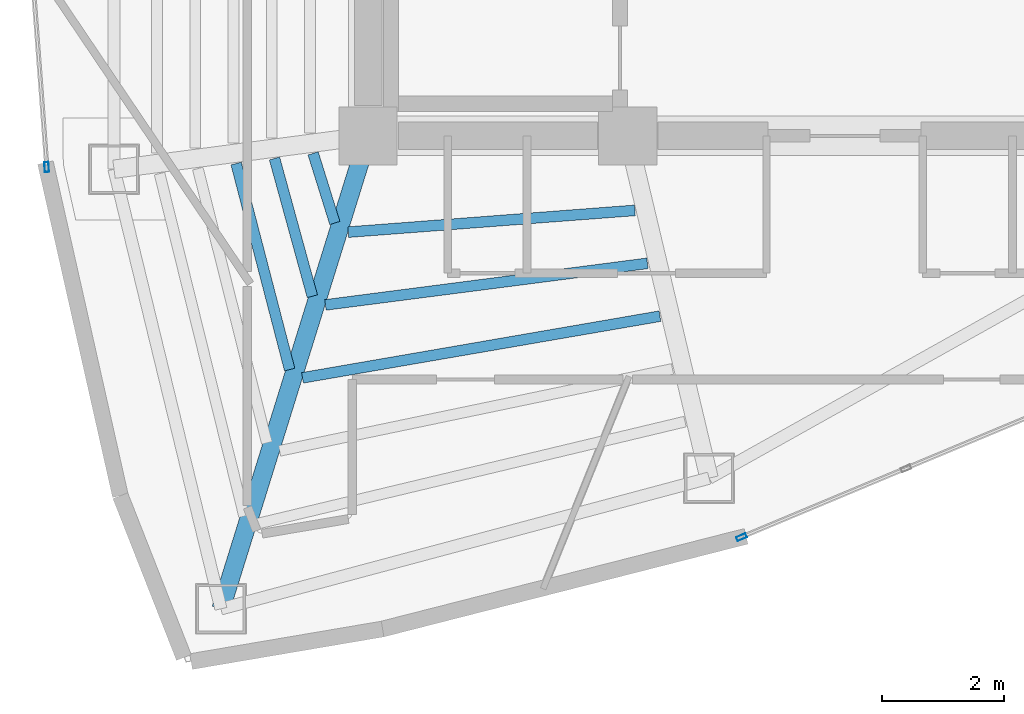
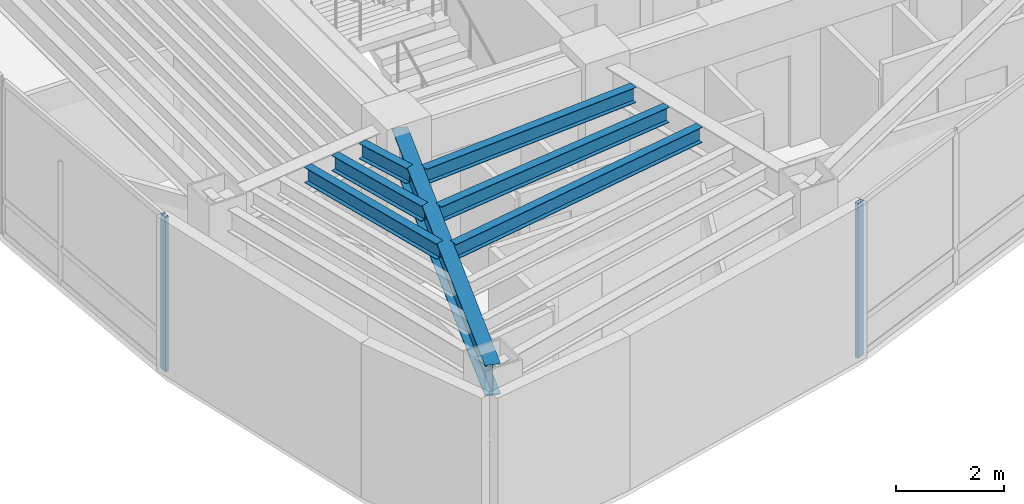
# One storey, part 2 of 15: 7 beams, 2 members, 2 elements without a shape of their own.
"""IFC4 building model written with IfcOpenShell, lengths in metres."""

from ifc_helpers import new_model, si_unit, direction, frame, origin, origin_2d, place, context, subcontext, project, spatial, hollow_rectangle, i_section, extrude, material, layer, layer_set, material_profile, profile_set, type_object, element, aggregate, save


model = new_model("IFC4")

# Units and contexts
model_context = context("Model", 3, precision=1e-05, world=origin(), true_north=direction((0.0, 1.0)))
body_context = subcontext(model_context, "Body", "Model", "MODEL_VIEW")
ifc_project = project(units=[si_unit("LENGTHUNIT", "METRE"), si_unit("AREAUNIT", "SQUARE_METRE"), si_unit("VOLUMEUNIT", "CUBIC_METRE"), si_unit("PLANEANGLEUNIT", "RADIAN"), si_unit("MASSUNIT", "GRAM", prefix="KILO")], contexts=[model_context])

# Site, building, storey
site_placement = place(None, origin())
site = spatial("IfcSite", under=ifc_project, at=site_placement, CompositionType="ELEMENT")
building_placement = place(site_placement, origin())
building = spatial("IfcBuilding", under=site, at=building_placement, Name="Menara Vayukalpa", CompositionType="ELEMENT")
storey_placement = place(building_placement, frame((0.0, 0.0, 265.739990234375)))
storey = spatial("IfcBuildingStorey", under=building, at=storey_placement, Name="L67", CompositionType="ELEMENT", Elevation=265.739990234375)

# Beams
ifc_material_1 = material(Name="Steel S355", Category="steel")
ifc_material_profile_1 = material_profile(ifc_material_1, i_section(OverallWidth=0.300048828125, OverallDepth=0.699951171875, WebThickness=0.012939453125, FlangeThickness=0.02392578125, at=origin_2d()), Name="WF 700x300x13x24")
ifc_profile_set_1 = profile_set([ifc_material_profile_1], Name="Steel S355")
beam_type_1 = type_object("IfcBeamType", Name="BM-PG5", PredefinedType="BEAM", material=ifc_profile_set_1)
beam_1_placement = place(storey_placement, frame((17.7255859375, 16.961181640625, 3.14990234375), z_axis=(-0.297213792842, -0.954810955815, 0.0), x_axis=(0.954810955815, -0.297213792842, 0.0)))
element("IfcBeam", 1, at=beam_1_placement, inside=storey, type_object=beam_type_1, Name="L67 Primary Radial Girder RG07", PredefinedType="BEAM", context=body_context, shape_type="SweptSolid", body=[
    extrude(i_section(OverallWidth=0.300048828125, OverallDepth=0.699951171875, WebThickness=0.012939453125, FlangeThickness=0.02392578125, at=origin_2d()), origin(), (0.0, 0.0, 1.0), 7.861083984375),
])
ifc_material_2 = material(Name="Steel S355", Category="steel")
ifc_material_profile_2 = material_profile(ifc_material_2, i_section(OverallWidth=0.175048828125, OverallDepth=0.35009765625, WebThickness=0.007080078125, FlangeThickness=0.010986328125, at=origin_2d()), Name="WF 350x175x7x11")
ifc_profile_set_2 = profile_set([ifc_material_profile_2], Name="Steel S355")
beam_type_2 = type_object("IfcBeamType", Name="BM-SJ3", PredefinedType="JOIST", material=ifc_profile_set_2)
beam_2_placement = place(storey_placement, frame((16.8984375, 16.91259765625, 3.324951171875), z_axis=(0.298018933644, -0.954559958929, 0.0), x_axis=(0.954559958929, 0.298018933644, 0.0)))
element("IfcBeam", 2, at=beam_2_placement, inside=storey, type_object=beam_type_2, Name="L67 Secondary Floor Joist SJ06-1", PredefinedType="JOIST", context=body_context, shape_type="SweptSolid", body=[
    extrude(i_section(OverallWidth=0.175048828125, OverallDepth=0.35009765625, WebThickness=0.007080078125, FlangeThickness=0.010986328125, at=origin_2d()), origin(), (0.0, 0.0, 1.0), 1.1943359375),
])
beam_3_placement = place(storey_placement, frame((16.2666015625, 16.82861328125, 3.324951171875), z_axis=(0.264918721837, -0.9642707456, 0.0), x_axis=(0.9642707456, 0.264918721837, 0.0)))
element("IfcBeam", 3, at=beam_3_placement, inside=storey, type_object=beam_type_2, Name="L67 Secondary Floor Joist SJ06-2", PredefinedType="JOIST", context=body_context, shape_type="SweptSolid", body=[
    extrude(i_section(OverallWidth=0.175048828125, OverallDepth=0.35009765625, WebThickness=0.007080078125, FlangeThickness=0.010986328125, at=origin_2d()), origin(), (0.0, 0.0, 1.0), 2.3388671875),
])
beam_4_placement = place(storey_placement, frame((15.63818359375, 16.745849609375, 3.324951171875), z_axis=(0.251492114719, -0.96785934734, 0.0), x_axis=(0.96785934734, 0.251492114719, 0.0)))
element("IfcBeam", 4, at=beam_4_placement, inside=storey, type_object=beam_type_2, Name="L67 Secondary Floor Joist SJ06-3", PredefinedType="JOIST", context=body_context, shape_type="SweptSolid", body=[
    extrude(i_section(OverallWidth=0.175048828125, OverallDepth=0.35009765625, WebThickness=0.007080078125, FlangeThickness=0.010986328125, at=origin_2d()), origin(), (0.0, 0.0, 1.0), 3.485107421875),
])
beam_5_placement = place(storey_placement, frame((17.474609375, 15.623046875, 3.324951171875), z_axis=(0.997135697669, 0.075633328852, 0.0), x_axis=(-0.075633328852, 0.997135697669, 0.0)))
element("IfcBeam", 5, at=beam_5_placement, inside=storey, type_object=beam_type_2, Name="L67 Secondary Floor Joist SJ07-1", PredefinedType="JOIST", context=body_context, shape_type="SweptSolid", body=[
    extrude(i_section(OverallWidth=0.175048828125, OverallDepth=0.35009765625, WebThickness=0.007080078125, FlangeThickness=0.010986328125, at=origin_2d()), origin(), (0.0, 0.0, 1.0), 4.706298828125),
])
beam_6_placement = place(storey_placement, frame((17.099853515625, 14.43115234375, 3.324951171875), z_axis=(0.991763759233, 0.128080622546, 0.0), x_axis=(-0.128080622546, 0.991763759233, 0.0)))
element("IfcBeam", 6, at=beam_6_placement, inside=storey, type_object=beam_type_2, Name="L67 Secondary Floor Joist SJ07-2", PredefinedType="JOIST", context=body_context, shape_type="SweptSolid", body=[
    extrude(i_section(OverallWidth=0.175048828125, OverallDepth=0.35009765625, WebThickness=0.007080078125, FlangeThickness=0.010986328125, at=origin_2d()), origin(), (0.0, 0.0, 1.0), 5.316162109375),
])
beam_7_placement = place(storey_placement, frame((16.724853515625, 13.2373046875, 3.324951171875), z_axis=(0.985440172071, 0.170022549294, 0.0), x_axis=(-0.170022549294, 0.985440172071, 0.0)))
element("IfcBeam", 7, at=beam_7_placement, inside=storey, type_object=beam_type_2, Name="L67 Secondary Floor Joist SJ07-3", PredefinedType="JOIST", context=body_context, shape_type="SweptSolid", body=[
    extrude(i_section(OverallWidth=0.175048828125, OverallDepth=0.35009765625, WebThickness=0.007080078125, FlangeThickness=0.010986328125, at=origin_2d()), origin(), (0.0, 0.0, 1.0), 5.93896484375),
])

# Curtain wall, member
ifc_material_3 = material(Name="Anodised Terracotta Aluminium Alloy 6063-T6", Category="masonry")
ifc_layer = layer(ifc_material_3, 0.1650390625)
ifc_layer_set = layer_set([ifc_layer], Name="Anodised Terracotta Aluminium Alloy 6063-T6")
curtain_wall_type = type_object("IfcCurtainWallType", Name="CW-CW6", PredefinedType="USERDEFINED", material=ifc_layer_set)
curtain_wall_1_placement = place(storey_placement, origin())
curtain_wall_1 = element("IfcCurtainWall", 8, at=curtain_wall_1_placement, inside=storey, type_object=curtain_wall_type, Name="L67 Observation and Executive Curtain Wall CW6 11", ObjectType="UNITISED", PredefinedType="USERDEFINED")
ifc_material_4 = material(Name="Anodised Terracotta Aluminium Alloy 6063-T6", Category="masonry")
ifc_material_profile_3 = material_profile(ifc_material_4, hollow_rectangle(XDim=0.070068359375, YDim=0.1650390625, WallThickness=0.00390625, at=origin_2d()), Name="ALU 70x165x4")
ifc_profile_set_3 = profile_set([ifc_material_profile_3], Name="Anodised Terracotta Aluminium Alloy 6063-T6")
member_type = type_object("IfcMemberType", Name="CWM-CW6", PredefinedType="MULLION", material=ifc_profile_set_3)
member_1_placement = place(storey_placement, frame((12.536376953125, 16.688232421875, 0.0), z_axis=(0.0, 0.0, 1.0), x_axis=(0.997199344663, 0.074789484574, 0.0)))
member_1 = element("IfcMember", 9, at=member_1_placement, type_object=member_type, Name="CW6 mullion 2", PredefinedType="MULLION", context=body_context, shape_type="SweptSolid", body=[
    extrude(hollow_rectangle(XDim=0.070068359375, YDim=0.1650390625, WallThickness=0.00390625, at=origin_2d()), origin(), (0.0, 0.0, 1.0), 3.5),
])
aggregate(curtain_wall_1, [member_1])

curtain_wall_2_placement = place(storey_placement, origin())
curtain_wall_2 = element("IfcCurtainWall", 10, at=curtain_wall_2_placement, inside=storey, type_object=curtain_wall_type, Name="L67 Observation and Executive Curtain Wall CW6 16", ObjectType="UNITISED", PredefinedType="USERDEFINED")
member_2_placement = place(storey_placement, frame((23.913330078125, 10.62841796875, 0.0), z_axis=(0.0, 0.0, 1.0), x_axis=(-0.385899911703, 0.922540653927, 0.0)))
member_2 = element("IfcMember", 11, at=member_2_placement, type_object=member_type, Name="CW6 mullion 1", PredefinedType="MULLION", context=body_context, shape_type="SweptSolid", body=[
    extrude(hollow_rectangle(XDim=0.070068359375, YDim=0.1650390625, WallThickness=0.00390625, at=origin_2d()), origin(), (0.0, 0.0, 1.0), 3.5),
])
aggregate(curtain_wall_2, [member_2])

save(model, "model.ifc")
